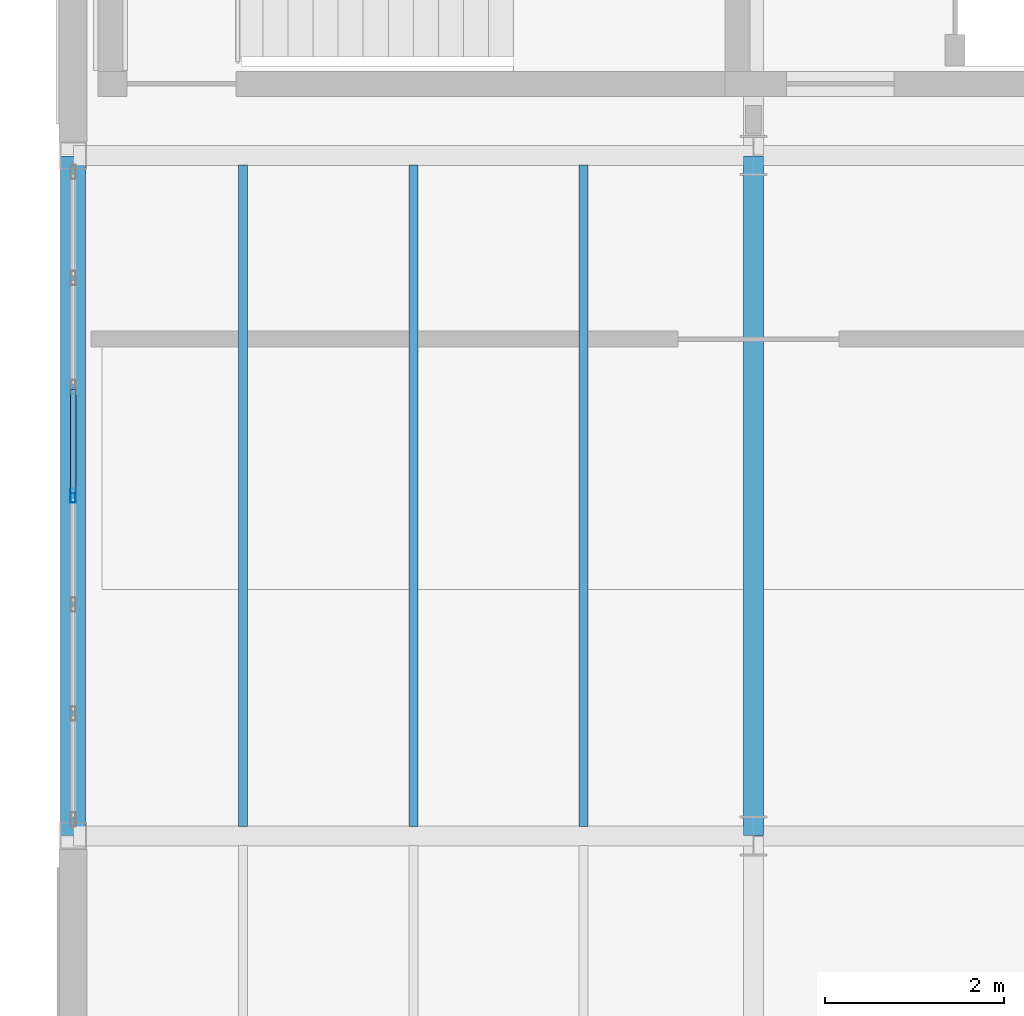
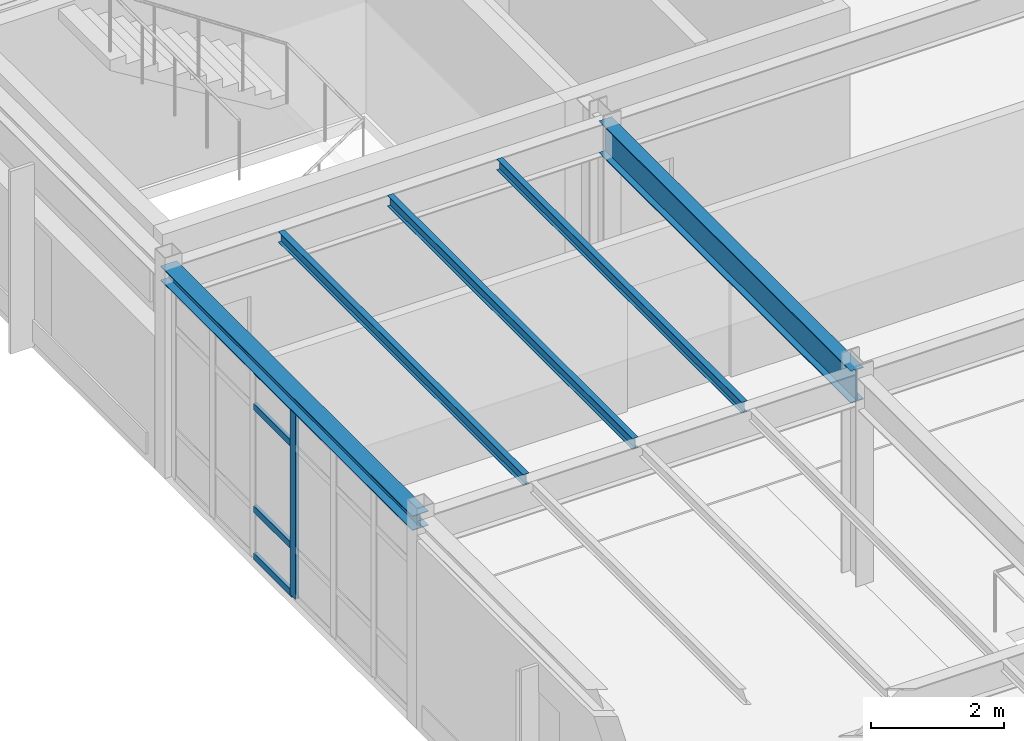
# One storey, part 69 of 165: 5 beams, 5 members, 1 element without a shape of its own.
"""IFC4 building model written with IfcOpenShell, lengths in metres."""

from ifc_helpers import new_model, si_unit, direction, frame, origin, origin_2d, place, context, subcontext, project, spatial, hollow_rectangle, i_section, extrude, material, layer, layer_set, material_profile, profile_set, type_object, element, aggregate, save


model = new_model("IFC4")

# Units and contexts
model_context = context("Model", 3, precision=1e-05, world=origin(), true_north=direction((0.0, 1.0)))
body_context = subcontext(model_context, "Body", "Model", "MODEL_VIEW")
ifc_project = project(units=[si_unit("LENGTHUNIT", "METRE"), si_unit("AREAUNIT", "SQUARE_METRE"), si_unit("VOLUMEUNIT", "CUBIC_METRE"), si_unit("PLANEANGLEUNIT", "RADIAN"), si_unit("MASSUNIT", "GRAM", prefix="KILO")], contexts=[model_context])

# Site, building, storey
site_placement = place(None, origin())
site = spatial("IfcSite", under=ifc_project, at=site_placement, CompositionType="ELEMENT")
building_placement = place(site_placement, origin())
building = spatial("IfcBuilding", under=site, at=building_placement, Name="Montecoro Central Library", CompositionType="ELEMENT")
storey_placement = place(building_placement, frame((0.0, 0.0, 5.10009765625)))
storey = spatial("IfcBuildingStorey", under=building, at=storey_placement, Name="L01", CompositionType="ELEMENT", Elevation=5.10009765625)

# Beams
ifc_material_1 = material(Name="Steel S355J2", Category="steel")
ifc_material_profile_1 = material_profile(ifc_material_1, i_section(OverallWidth=0.219970703125, OverallDepth=0.60009765625, WebThickness=0.011962890625, FlangeThickness=0.01904296875, at=origin_2d()), Name="IPE 600")
ifc_profile_set_1 = profile_set([ifc_material_profile_1], Name="Steel S355J2")
beam_type_1 = type_object("IfcBeamType", Name="BM-G-IPE600", PredefinedType="USERDEFINED", material=ifc_profile_set_1)
beam_1_placement = place(storey_placement, frame((12.60009765625, 96.205078125, 3.52490234375), z_axis=(0.0, 1.0, 0.0), x_axis=(-1.0, 0.0, 0.0)))
element("IfcBeam", 1, at=beam_1_placement, inside=storey, type_object=beam_type_1, Name="V4-L01-BY-2-NP", ObjectType="GIRDER", PredefinedType="USERDEFINED", context=body_context, shape_type="SweptSolid", body=[
    extrude(i_section(OverallWidth=0.219970703125, OverallDepth=0.60009765625, WebThickness=0.011962890625, FlangeThickness=0.01904296875, at=origin_2d()), origin(), (0.0, 0.0, 1.0), 7.58984375),
])
ifc_material_2 = material(Name="Steel S355", Category="steel")
ifc_material_profile_2 = material_profile(ifc_material_2, i_section(OverallWidth=0.10009765625, OverallDepth=0.199951171875, WebThickness=0.005615234375, FlangeThickness=0.008544921875, at=origin_2d()), Name="IPE 200")
ifc_profile_set_2 = profile_set([ifc_material_profile_2], Name="Steel S355")
beam_type_2 = type_object("IfcBeamType", Name="BM-J-IPE200", PredefinedType="JOIST", material=ifc_profile_set_2)
for number, where, z_axis, x_axis, name in (
    (2, (6.89990234375, 96.306884765625, 3.724853515625), (0.0, 1.0, 0.0), (-1.0, 0.0, 0.0), "V4-L01-JS-12-NP-1"),
    (3, (8.800048828125, 96.306884765625, 3.724853515625), (0.0, 1.0, 0.0), (-1.0, 0.0, 0.0), "V4-L01-JS-12-NP-2"),
    (4, (10.699951171875, 96.306884765625, 3.724853515625), (0.0, 1.0, 0.0), (-1.0, 0.0, 0.0), "V4-L01-JS-12-NP-3"),
):
    element("IfcBeam", number, at=place(storey_placement, frame(where, z_axis=z_axis, x_axis=x_axis)), inside=storey, type_object=beam_type_2, Name=name, PredefinedType="JOIST", context=body_context, shape_type="SweptSolid", body=[
        extrude(i_section(OverallWidth=0.10009765625, OverallDepth=0.199951171875, WebThickness=0.005615234375, FlangeThickness=0.008544921875, at=origin_2d()), origin(), (0.0, 0.0, 1.0), 7.38623046875),
    ])
ifc_material_profile_3 = material_profile(ifc_material_2, i_section(OverallWidth=0.280029296875, OverallDepth=0.27001953125, WebThickness=0.008056640625, FlangeThickness=0.012939453125, at=origin_2d()), Name="HEA 280")
ifc_profile_set_3 = profile_set([ifc_material_profile_3], Name="Steel S355")
beam_type_3 = type_object("IfcBeamType", Name="BM-SP-HEA280", PredefinedType="SPANDREL", material=ifc_profile_set_3)
beam_2_placement = place(storey_placement, frame((5.0, 96.205078125, 3.68994140625), z_axis=(0.0, 1.0, 0.0), x_axis=(-1.0, 0.0, 0.0)))
element("IfcBeam", 5, at=beam_2_placement, inside=storey, type_object=beam_type_3, Name="V4-L01-BY-1-NP", PredefinedType="SPANDREL", context=body_context, shape_type="SweptSolid", body=[
    extrude(i_section(OverallWidth=0.280029296875, OverallDepth=0.27001953125, WebThickness=0.008056640625, FlangeThickness=0.012939453125, at=origin_2d()), origin(), (0.0, 0.0, 1.0), 7.58984375),
])

# Curtain wall, members
ifc_material_3 = material(Name="Bronze-anodised aluminium and low-E glazing", Category="aluminium")
ifc_layer = layer(ifc_material_3, 0.159912109375)
ifc_layer_set = layer_set([ifc_layer], Name="Bronze-anodised aluminium and low-E glazing")
curtain_wall_type = type_object("IfcCurtainWallType", Name="CWT-045", PredefinedType="NOTDEFINED", material=ifc_layer_set)
curtain_wall_placement = place(storey_placement, origin())
curtain_wall = element("IfcCurtainWall", 6, at=curtain_wall_placement, inside=storey, type_object=curtain_wall_type, Name="V4-L01-CW-W3", PredefinedType="NOTDEFINED")
ifc_material_4 = material(Name="Bronze-anodised aluminium", Category="aluminium")
ifc_material_profile_4 = material_profile(ifc_material_4, hollow_rectangle(XDim=0.06005859375, YDim=0.159912109375, WallThickness=0.00390625, at=origin_2d()), Name="CWM 160x60x4.0")
ifc_profile_set_4 = profile_set([ifc_material_profile_4], Name="Bronze-anodised aluminium")
member_type_1 = type_object("IfcMemberType", Name="CWM-BRZ-60", PredefinedType="MULLION", material=ifc_profile_set_4)
member_1_placement = place(storey_placement, frame((5.0, 100.0, 0.0), z_axis=(0.0, 0.0, 1.0), x_axis=(1.0, 0.0, 0.0)))
member_1 = element("IfcMember", 7, at=member_1_placement, type_object=member_type_1, Name="CW-045 mullion 4", PredefinedType="MULLION", context=body_context, shape_type="SweptSolid", body=[
    extrude(hollow_rectangle(XDim=0.06005859375, YDim=0.159912109375, WallThickness=0.00390625, at=origin_2d()), origin(), (0.0, 0.0, 1.0), 3.47998046875),
])
ifc_material_profile_5 = material_profile(ifc_material_4, hollow_rectangle(XDim=0.06005859375, YDim=0.1201171875, WallThickness=0.00390625, at=origin_2d()), Name="CWT 120x60x4.0")
ifc_profile_set_5 = profile_set([ifc_material_profile_5], Name="Bronze-anodised aluminium")
member_type_2 = type_object("IfcMemberType", Name="CWT-BRZ-60", PredefinedType="USERDEFINED", material=ifc_profile_set_5)
member_2_placement = place(storey_placement, frame((5.0, 101.185546875, 0.02978515625), z_axis=(0.0, -1.0, 0.0), x_axis=(1.0, 0.0, 0.0)))
member_2 = element("IfcMember", 8, at=member_2_placement, type_object=member_type_2, Name="CW-045 transom 3.1", ObjectType="TRANSOM", PredefinedType="USERDEFINED", context=body_context, shape_type="SweptSolid", body=[
    extrude(hollow_rectangle(XDim=0.06005859375, YDim=0.1201171875, WallThickness=0.00390625, at=origin_2d()), origin(), (0.0, 0.0, 1.0), 1.155517578125),
])
member_3_placement = place(storey_placement, frame((5.0, 101.185546875, 0.89990234375), z_axis=(0.0, -1.0, 0.0), x_axis=(1.0, 0.0, 0.0)))
member_3 = element("IfcMember", 9, at=member_3_placement, type_object=member_type_2, Name="CW-045 transom 3.2", ObjectType="TRANSOM", PredefinedType="USERDEFINED", context=body_context, shape_type="SweptSolid", body=[
    extrude(hollow_rectangle(XDim=0.06005859375, YDim=0.1201171875, WallThickness=0.00390625, at=origin_2d()), origin(), (0.0, 0.0, 1.0), 1.155517578125),
])
member_4_placement = place(storey_placement, frame((5.0, 101.185546875, 2.77978515625), z_axis=(0.0, -1.0, 0.0), x_axis=(1.0, 0.0, 0.0)))
member_4 = element("IfcMember", 10, at=member_4_placement, type_object=member_type_2, Name="CW-045 transom 3.3", ObjectType="TRANSOM", PredefinedType="USERDEFINED", context=body_context, shape_type="SweptSolid", body=[
    extrude(hollow_rectangle(XDim=0.06005859375, YDim=0.1201171875, WallThickness=0.00390625, at=origin_2d()), origin(), (0.0, 0.0, 1.0), 1.155517578125),
])
member_5_placement = place(storey_placement, frame((5.0, 101.185546875, 3.449951171875), z_axis=(0.0, -1.0, 0.0), x_axis=(1.0, 0.0, 0.0)))
member_5 = element("IfcMember", 11, at=member_5_placement, type_object=member_type_2, Name="CW-045 transom 3.4", ObjectType="TRANSOM", PredefinedType="USERDEFINED", context=body_context, shape_type="SweptSolid", body=[
    extrude(hollow_rectangle(XDim=0.06005859375, YDim=0.1201171875, WallThickness=0.00390625, at=origin_2d()), origin(), (0.0, 0.0, 1.0), 1.155517578125),
])
aggregate(curtain_wall, [member_1, member_2, member_3, member_4, member_5])

save(model, "model.ifc")
